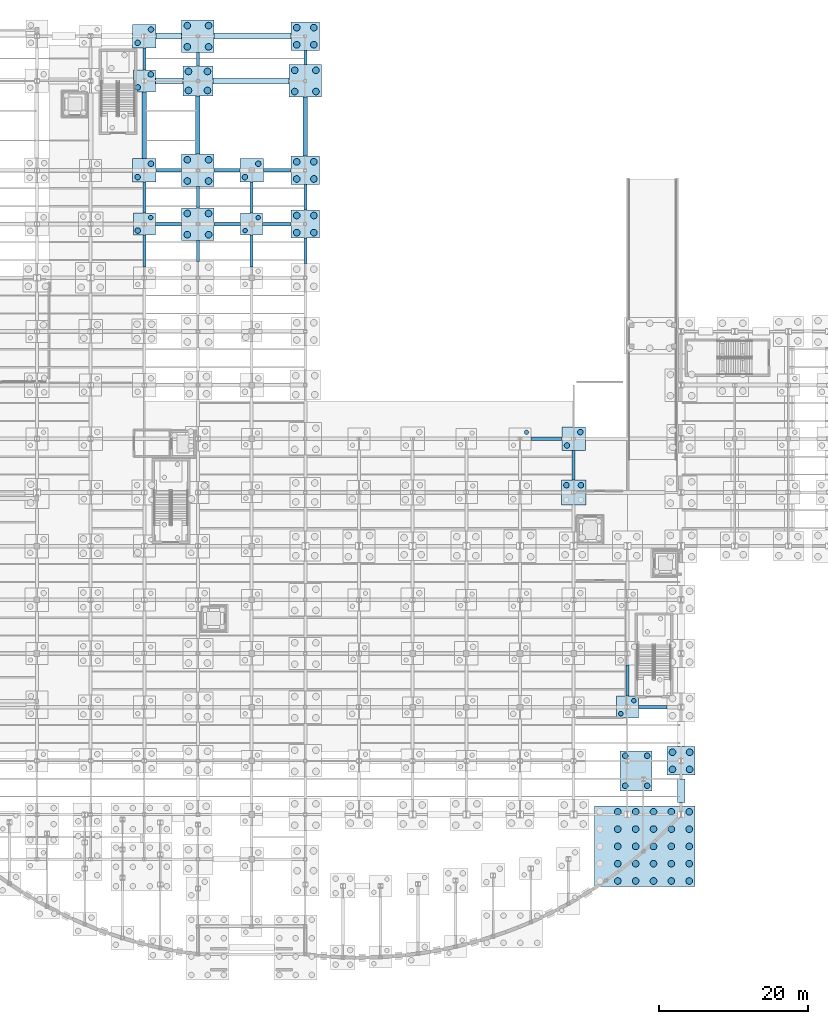
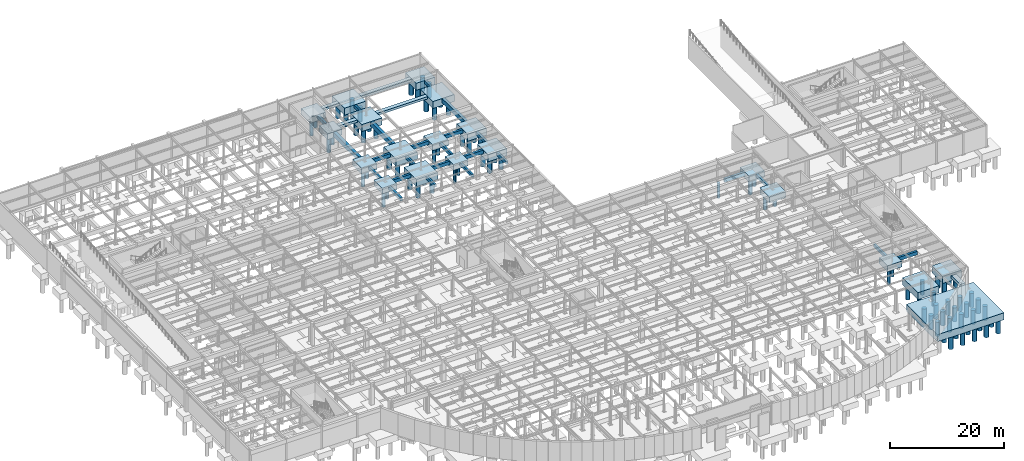
# One storey, part 13 of 64: 84 piles, 49 footings.
"""IFC4 building model written with IfcOpenShell, lengths in metres."""

from ifc_helpers import new_model, si_unit, direction, frame, origin, origin_2d, place, context, subcontext, project, spatial, rectangle, circle, extrude, material, material_profile, profile_set, type_object, element, save


model = new_model("IFC4")

# Units and contexts
model_context = context("Model", 3, precision=1e-05, world=origin(), true_north=direction((0.0, 1.0)))
body_context = subcontext(model_context, "Body", "Model", "MODEL_VIEW")
ifc_project = project(units=[si_unit("LENGTHUNIT", "METRE"), si_unit("AREAUNIT", "SQUARE_METRE"), si_unit("VOLUMEUNIT", "CUBIC_METRE"), si_unit("PLANEANGLEUNIT", "RADIAN"), si_unit("MASSUNIT", "GRAM", prefix="KILO")], contexts=[model_context])

# Site, building, storey
site_placement = place(None, origin())
site = spatial("IfcSite", under=ifc_project, at=site_placement, CompositionType="ELEMENT")
building_placement = place(site_placement, origin())
building = spatial("IfcBuilding", under=site, at=building_placement, Name="Solvadek Multi-Sports Hall", CompositionType="ELEMENT")
storey_placement = place(building_placement, frame((0.0, 0.0, -4.800048828125)))
storey = spatial("IfcBuildingStorey", under=building, at=storey_placement, Name="B1", CompositionType="ELEMENT", Elevation=-4.800048828125)

# Footings
ifc_material_1 = material(Name="Concrete M40", Category="concrete")
footing_type_1 = type_object("IfcFootingType", Name="STR-CAP-295X295X125", PredefinedType="PILE_CAP", material=ifc_material_1)
for number, where, z_axis, x_axis, name in (
    (1, (129.60009765625, 20.39990234375, -1.25), (0.0, 0.0, 1.0), (1.0, 0.0, 0.0), "Pile Cap PC-14 #80"),
    (2, (64.800048828125, 85.199951171875, -1.25), (0.0, 0.0, 1.0), (1.0, 0.0, 0.0), "Pile Cap PC-14 #253"),
    (3, (79.199951171875, 85.199951171875, -1.25), (0.0, 0.0, 1.0), (1.0, 0.0, 0.0), "Pile Cap PC-14 #254"),
    (4, (64.800048828125, 104.39990234375, -1.25), (0.0, 0.0, 1.0), (1.0, 0.0, 0.0), "Pile Cap PC-14 #280"),
):
    element("IfcFooting", number, at=place(storey_placement, frame(where, z_axis=z_axis, x_axis=x_axis)), inside=storey, type_object=footing_type_1, Name=name, PredefinedType="PILE_CAP", context=body_context, shape_type="SweptSolid", body=[
        extrude(rectangle(XDim=2.949951171875, YDim=2.949951171875, at=origin_2d()), origin(), (0.0, 0.0, 1.0), 1.25),
    ])
footing_type_2 = type_object("IfcFootingType", Name="STR-CAP-315X315X130", PredefinedType="PILE_CAP", material=ifc_material_1)
for number, where, z_axis, x_axis, name in (
    (5, (122.39990234375, 56.39990234375, -1.2998046875), (0.0, 0.0, 1.0), (1.0, 0.0, 0.0), "Pile Cap PC-15 #192"),
    (6, (64.800048828125, 92.39990234375, -1.2998046875), (0.0, 0.0, 1.0), (1.0, 0.0, 0.0), "Pile Cap PC-15 #266"),
    (7, (79.199951171875, 92.39990234375, -1.2998046875), (0.0, 0.0, 1.0), (1.0, 0.0, 0.0), "Pile Cap PC-15 #267"),
    (8, (64.800048828125, 110.39990234375, -1.2998046875), (0.0, 0.0, 1.0), (1.0, 0.0, 0.0), "Pile Cap PC-15 #293"),
):
    element("IfcFooting", number, at=place(storey_placement, frame(where, z_axis=z_axis, x_axis=x_axis)), inside=storey, type_object=footing_type_2, Name=name, PredefinedType="PILE_CAP", context=body_context, shape_type="SweptSolid", body=[
        extrude(rectangle(XDim=3.14990234375, YDim=3.14990234375, at=origin_2d()), origin(), (0.0, 0.0, 1.0), 1.300048828125),
    ])
footing_type_3 = type_object("IfcFootingType", Name="STR-CAP-330X330X135", PredefinedType="PILE_CAP", material=ifc_material_1)
footing_1_placement = place(storey_placement, frame((122.39990234375, 49.199951171875, -1.35009765625), z_axis=(0.0, 0.0, 1.0), x_axis=(1.0, 0.0, 0.0)))
element("IfcFooting", 9, at=footing_1_placement, inside=storey, type_object=footing_type_3, Name="Pile Cap PC-04 #168", PredefinedType="PILE_CAP", context=body_context, shape_type="SweptSolid", body=[
    extrude(rectangle(XDim=3.300048828125, YDim=3.300048828125, at=origin_2d()), origin(), (0.0, 0.0, 1.0), 1.35009765625),
])
footing_type_4 = type_object("IfcFootingType", Name="STR-CAP-380X380X150", PredefinedType="PILE_CAP", material=ifc_material_1)
for number, where, z_axis, x_axis, name in (
    (10, (136.800048828125, 13.199951171875, -1.5), (0.0, 0.0, 1.0), (1.0, 0.0, 0.0), "Pile Cap PC-06 #49"),
    (11, (86.39990234375, 85.199951171875, -1.5), (0.0, 0.0, 1.0), (1.0, 0.0, 0.0), "Pile Cap PC-06 #244"),
    (12, (86.39990234375, 92.39990234375, -1.5), (0.0, 0.0, 1.0), (1.0, 0.0, 0.0), "Pile Cap PC-06 #256"),
    (13, (86.39990234375, 110.39990234375, -1.5), (0.0, 0.0, 1.0), (1.0, 0.0, 0.0), "Pile Cap PC-06 #283"),
):
    element("IfcFooting", number, at=place(storey_placement, frame(where, z_axis=z_axis, x_axis=x_axis)), inside=storey, type_object=footing_type_4, Name=name, PredefinedType="PILE_CAP", context=body_context, shape_type="SweptSolid", body=[
        extrude(rectangle(XDim=3.800048828125, YDim=3.800048828125, at=origin_2d()), origin(), (0.0, 0.0, 1.0), 1.5),
    ])
footing_type_5 = type_object("IfcFootingType", Name="STR-CAP-405X405X150", PredefinedType="PILE_CAP", material=ifc_material_1)
footing_2_placement = place(storey_placement, frame((72.0, 104.39990234375, -1.5), z_axis=(0.0, 0.0, 1.0), x_axis=(1.0, 0.0, 0.0)))
element("IfcFooting", 14, at=footing_2_placement, inside=storey, type_object=footing_type_5, Name="Pile Cap PC-17 #269", PredefinedType="PILE_CAP", context=body_context, shape_type="SweptSolid", body=[
    extrude(rectangle(XDim=4.050048828125, YDim=4.050048828125, at=origin_2d()), origin(), (0.0, 0.0, 1.0), 1.5),
])
footing_type_6 = type_object("IfcFootingType", Name="STR-CAP-435X435X150", PredefinedType="PILE_CAP", material=ifc_material_1)
for number, where, z_axis, x_axis, name in (
    (15, (72.0, 85.199951171875, -1.5), (0.0, 0.0, 1.0), (1.0, 0.0, 0.0), "Pile Cap PC-18 #243"),
    (16, (72.0, 92.39990234375, -1.5), (0.0, 0.0, 1.0), (1.0, 0.0, 0.0), "Pile Cap PC-18 #255"),
    (17, (86.39990234375, 104.39990234375, -1.5), (0.0, 0.0, 1.0), (1.0, 0.0, 0.0), "Pile Cap PC-18 #270"),
    (18, (72.0, 110.39990234375, -1.5), (0.0, 0.0, 1.0), (1.0, 0.0, 0.0), "Pile Cap PC-18 #282"),
):
    element("IfcFooting", number, at=place(storey_placement, frame(where, z_axis=z_axis, x_axis=x_axis)), inside=storey, type_object=footing_type_6, Name=name, PredefinedType="PILE_CAP", context=body_context, shape_type="SweptSolid", body=[
        extrude(rectangle(XDim=4.35009765625, YDim=4.35009765625, at=origin_2d()), origin(), (0.0, 0.0, 1.0), 1.5),
    ])
footing_type_7 = type_object("IfcFootingType", Name="STR-CAP-CMB-1348X1078", PredefinedType="PILE_CAP", material=ifc_material_1)
footing_3_placement = place(storey_placement, frame((131.909912109375, 1.721435546875, -1.5), z_axis=(0.0, 0.0, 1.0), x_axis=(1.0, 0.0, 0.0)))
element("IfcFooting", 19, at=footing_3_placement, inside=storey, type_object=footing_type_7, Name="Pile Cap PC-R22 #22", PredefinedType="PILE_CAP", context=body_context, shape_type="SweptSolid", body=[
    extrude(rectangle(XDim=13.47998046875, YDim=10.780029296875, at=origin_2d()), origin(), (0.0, 0.0, 1.0), 1.5),
])
footing_type_8 = type_object("IfcFootingType", Name="STR-CAP-CMB-537X430", PredefinedType="PILE_CAP", material=ifc_material_1)
footing_4_placement = place(storey_placement, frame((130.780029296875, 11.864013671875, -1.5), z_axis=(0.0, 0.0, 1.0), x_axis=(0.0, 1.0, 0.0)))
element("IfcFooting", 20, at=footing_4_placement, inside=storey, type_object=footing_type_8, Name="Pile Cap PC-R45 #45", PredefinedType="PILE_CAP", context=body_context, shape_type="SweptSolid", body=[
    extrude(rectangle(XDim=5.3701171875, YDim=4.300048828125, at=origin_2d()), origin(), (0.0, 0.0, 1.0), 1.5),
])
footing_type_9 = type_object("IfcFootingType", Name="STR-FTB-400X650", PredefinedType="FOOTING_BEAM", material=ifc_material_1)
footing_5_placement = place(storey_placement, frame((64.800048828125, 81.60009765625, -0.64990234375), z_axis=(0.0, 0.0, 1.0), x_axis=(0.0, 1.0, 0.0)))
element("IfcFooting", 21, at=footing_5_placement, inside=storey, type_object=footing_type_9, Name="Foundation Beam FB-01 #323", PredefinedType="FOOTING_BEAM", context=body_context, shape_type="SweptSolid", body=[
    extrude(rectangle(XDim=4.25, YDim=0.39990234375, at=origin_2d()), origin(), (0.0, 0.0, 1.0), 0.64990234375),
])
footing_6_placement = place(storey_placement, frame((64.800048828125, 88.75, -0.64990234375), z_axis=(0.0, 0.0, 1.0), x_axis=(0.0, 1.0, 0.0)))
element("IfcFooting", 22, at=footing_6_placement, inside=storey, type_object=footing_type_9, Name="Foundation Beam FB-01 #324", PredefinedType="FOOTING_BEAM", context=body_context, shape_type="SweptSolid", body=[
    extrude(rectangle(XDim=4.14990234375, YDim=0.39990234375, at=origin_2d()), origin(), (0.0, 0.0, 1.0), 0.64990234375),
])
footing_7_placement = place(storey_placement, frame((64.800048828125, 107.35009765625, -0.64990234375), z_axis=(0.0, 0.0, 1.0), x_axis=(0.0, 1.0, 0.0)))
element("IfcFooting", 23, at=footing_7_placement, inside=storey, type_object=footing_type_9, Name="Foundation Beam FB-01 #326", PredefinedType="FOOTING_BEAM", context=body_context, shape_type="SweptSolid", body=[
    extrude(rectangle(XDim=2.949951171875, YDim=0.39990234375, at=origin_2d()), origin(), (0.0, 0.0, 1.0), 0.64990234375),
])
for number, where, z_axis, x_axis, name in (
    (24, (72.0, 81.60009765625, -0.64990234375), (0.0, 0.0, 1.0), (0.0, 1.0, 0.0), "Foundation Beam FB-01 #337"),
    (25, (72.0, 88.800048828125, -0.64990234375), (0.0, 0.0, 1.0), (0.0, 1.0, 0.0), "Foundation Beam FB-01 #338"),
):
    element("IfcFooting", number, at=place(storey_placement, frame(where, z_axis=z_axis, x_axis=x_axis)), inside=storey, type_object=footing_type_9, Name=name, PredefinedType="FOOTING_BEAM", context=body_context, shape_type="SweptSolid", body=[
        extrude(rectangle(XDim=2.85009765625, YDim=0.39990234375, at=origin_2d()), origin(), (0.0, 0.0, 1.0), 0.64990234375),
    ])
footing_8_placement = place(storey_placement, frame((72.0, 107.324951171875, -0.64990234375), z_axis=(0.0, 0.0, 1.0), x_axis=(0.0, 1.0, 0.0)))
element("IfcFooting", 26, at=footing_8_placement, inside=storey, type_object=footing_type_9, Name="Foundation Beam FB-01 #340", PredefinedType="FOOTING_BEAM", context=body_context, shape_type="SweptSolid", body=[
    extrude(rectangle(XDim=1.800048828125, YDim=0.39990234375, at=origin_2d()), origin(), (0.0, 0.0, 1.0), 0.64990234375),
])
footing_9_placement = place(storey_placement, frame((79.199951171875, 81.60009765625, -0.64990234375), z_axis=(0.0, 0.0, 1.0), x_axis=(0.0, 1.0, 0.0)))
element("IfcFooting", 27, at=footing_9_placement, inside=storey, type_object=footing_type_9, Name="Foundation Beam FB-01 #353", PredefinedType="FOOTING_BEAM", context=body_context, shape_type="SweptSolid", body=[
    extrude(rectangle(XDim=4.25, YDim=0.39990234375, at=origin_2d()), origin(), (0.0, 0.0, 1.0), 0.64990234375),
])
footing_10_placement = place(storey_placement, frame((79.199951171875, 88.75, -0.64990234375), z_axis=(0.0, 0.0, 1.0), x_axis=(0.0, 1.0, 0.0)))
element("IfcFooting", 28, at=footing_10_placement, inside=storey, type_object=footing_type_9, Name="Foundation Beam FB-01 #354", PredefinedType="FOOTING_BEAM", context=body_context, shape_type="SweptSolid", body=[
    extrude(rectangle(XDim=4.14990234375, YDim=0.39990234375, at=origin_2d()), origin(), (0.0, 0.0, 1.0), 0.64990234375),
])
for number, where, z_axis, x_axis, name in (
    (29, (86.39990234375, 81.60009765625, -0.64990234375), (0.0, 0.0, 1.0), (0.0, 1.0, 0.0), "Foundation Beam FB-01 #366"),
    (30, (86.39990234375, 88.800048828125, -0.64990234375), (0.0, 0.0, 1.0), (0.0, 1.0, 0.0), "Foundation Beam FB-01 #367"),
):
    element("IfcFooting", number, at=place(storey_placement, frame(where, z_axis=z_axis, x_axis=x_axis)), inside=storey, type_object=footing_type_9, Name=name, PredefinedType="FOOTING_BEAM", context=body_context, shape_type="SweptSolid", body=[
        extrude(rectangle(XDim=3.39990234375, YDim=0.39990234375, at=origin_2d()), origin(), (0.0, 0.0, 1.0), 0.64990234375),
    ])
footing_11_placement = place(storey_placement, frame((86.39990234375, 107.53759765625, -0.64990234375), z_axis=(0.0, 0.0, 1.0), x_axis=(0.0, 1.0, 0.0)))
element("IfcFooting", 31, at=footing_11_placement, inside=storey, type_object=footing_type_9, Name="Foundation Beam FB-01 #369", PredefinedType="FOOTING_BEAM", context=body_context, shape_type="SweptSolid", body=[
    extrude(rectangle(XDim=1.925048828125, YDim=0.39990234375, at=origin_2d()), origin(), (0.0, 0.0, 1.0), 0.64990234375),
])
footing_12_placement = place(storey_placement, frame((122.39990234375, 52.83740234375, -0.64990234375), z_axis=(0.0, 0.0, 1.0), x_axis=(0.0, 1.0, 0.0)))
element("IfcFooting", 32, at=footing_12_placement, inside=storey, type_object=footing_type_9, Name="Foundation Beam FB-01 #409", PredefinedType="FOOTING_BEAM", context=body_context, shape_type="SweptSolid", body=[
    extrude(rectangle(XDim=3.97509765625, YDim=0.39990234375, at=origin_2d()), origin(), (0.0, 0.0, 1.0), 0.64990234375),
])
footing_13_placement = place(storey_placement, frame((129.60009765625, 23.949951171875, -0.64990234375), z_axis=(0.0, 0.0, 1.0), x_axis=(0.0, 1.0, 0.0)))
element("IfcFooting", 33, at=footing_13_placement, inside=storey, type_object=footing_type_9, Name="Foundation Beam FB-01 #410", PredefinedType="FOOTING_BEAM", context=body_context, shape_type="SweptSolid", body=[
    extrude(rectangle(XDim=4.14990234375, YDim=0.39990234375, at=origin_2d()), origin(), (0.0, 0.0, 1.0), 0.64990234375),
])
footing_type_10 = type_object("IfcFootingType", Name="STR-FTB-450X750", PredefinedType="FOOTING_BEAM", material=ifc_material_1)
footing_14_placement = place(storey_placement, frame((132.987548828125, 20.39990234375, -0.75), z_axis=(0.0, 0.0, 1.0), x_axis=(1.0, 0.0, 0.0)))
element("IfcFooting", 34, at=footing_14_placement, inside=storey, type_object=footing_type_10, Name="Foundation Beam FB-02 #36", PredefinedType="FOOTING_BEAM", context=body_context, shape_type="SweptSolid", body=[
    extrude(rectangle(XDim=3.824951171875, YDim=0.449951171875, at=origin_2d()), origin(), (0.0, 0.0, 1.0), 0.75),
])
footing_15_placement = place(storey_placement, frame((118.75, 56.39990234375, -0.75), z_axis=(0.0, 0.0, 1.0), x_axis=(1.0, 0.0, 0.0)))
element("IfcFooting", 35, at=footing_15_placement, inside=storey, type_object=footing_type_10, Name="Foundation Beam FB-02 #134", PredefinedType="FOOTING_BEAM", context=body_context, shape_type="SweptSolid", body=[
    extrude(rectangle(XDim=4.14990234375, YDim=0.449951171875, at=origin_2d()), origin(), (0.0, 0.0, 1.0), 0.75),
])
for number, where, z_axis, x_axis, name in (
    (36, (68.050048828125, 85.199951171875, -0.75), (0.0, 0.0, 1.0), (1.0, 0.0, 0.0), "Foundation Beam FB-02 #182"),
    (37, (75.949951171875, 85.199951171875, -0.75), (0.0, 0.0, 1.0), (1.0, 0.0, 0.0), "Foundation Beam FB-02 #183"),
):
    element("IfcFooting", number, at=place(storey_placement, frame(where, z_axis=z_axis, x_axis=x_axis)), inside=storey, type_object=footing_type_10, Name=name, PredefinedType="FOOTING_BEAM", context=body_context, shape_type="SweptSolid", body=[
        extrude(rectangle(XDim=3.550048828125, YDim=0.449951171875, at=origin_2d()), origin(), (0.0, 0.0, 1.0), 0.75),
    ])
footing_16_placement = place(storey_placement, frame((82.58740234375, 85.199951171875, -0.75), z_axis=(0.0, 0.0, 1.0), x_axis=(1.0, 0.0, 0.0)))
element("IfcFooting", 38, at=footing_16_placement, inside=storey, type_object=footing_type_10, Name="Foundation Beam FB-02 #184", PredefinedType="FOOTING_BEAM", context=body_context, shape_type="SweptSolid", body=[
    extrude(rectangle(XDim=3.824951171875, YDim=0.449951171875, at=origin_2d()), origin(), (0.0, 0.0, 1.0), 0.75),
])
for number, where, z_axis, x_axis, name in (
    (39, (68.10009765625, 92.39990234375, -0.75), (0.0, 0.0, 1.0), (1.0, 0.0, 0.0), "Foundation Beam FB-02 #194"),
    (40, (75.89990234375, 92.39990234375, -0.75), (0.0, 0.0, 1.0), (1.0, 0.0, 0.0), "Foundation Beam FB-02 #195"),
):
    element("IfcFooting", number, at=place(storey_placement, frame(where, z_axis=z_axis, x_axis=x_axis)), inside=storey, type_object=footing_type_10, Name=name, PredefinedType="FOOTING_BEAM", context=body_context, shape_type="SweptSolid", body=[
        extrude(rectangle(XDim=3.449951171875, YDim=0.449951171875, at=origin_2d()), origin(), (0.0, 0.0, 1.0), 0.75),
    ])
footing_17_placement = place(storey_placement, frame((82.637451171875, 92.39990234375, -0.75), z_axis=(0.0, 0.0, 1.0), x_axis=(1.0, 0.0, 0.0)))
element("IfcFooting", 41, at=footing_17_placement, inside=storey, type_object=footing_type_10, Name="Foundation Beam FB-02 #196", PredefinedType="FOOTING_BEAM", context=body_context, shape_type="SweptSolid", body=[
    extrude(rectangle(XDim=3.72509765625, YDim=0.449951171875, at=origin_2d()), origin(), (0.0, 0.0, 1.0), 0.75),
])
footing_type_11 = type_object("IfcFootingType", Name="STR-FTB-600X950", PredefinedType="FOOTING_BEAM", material=ifc_material_1)
footing_18_placement = place(storey_placement, frame((64.800048828125, 98.449951171875, -0.94970703125), z_axis=(0.0, 0.0, 1.0), x_axis=(0.0, 1.0, 0.0)))
element("IfcFooting", 42, at=footing_18_placement, inside=storey, type_object=footing_type_11, Name="Foundation Beam FB-04 #325", PredefinedType="FOOTING_BEAM", context=body_context, shape_type="SweptSolid", body=[
    extrude(rectangle(XDim=8.949951171875, YDim=0.60009765625, at=origin_2d()), origin(), (0.0, 0.0, 1.0), 0.949951171875),
])
footing_19_placement = place(storey_placement, frame((72.0, 98.47509765625, -0.94970703125), z_axis=(0.0, 0.0, 1.0), x_axis=(0.0, 1.0, 0.0)))
element("IfcFooting", 43, at=footing_19_placement, inside=storey, type_object=footing_type_11, Name="Foundation Beam FB-04 #339", PredefinedType="FOOTING_BEAM", context=body_context, shape_type="SweptSolid", body=[
    extrude(rectangle(XDim=7.800048828125, YDim=0.60009765625, at=origin_2d()), origin(), (0.0, 0.0, 1.0), 0.949951171875),
])
footing_20_placement = place(storey_placement, frame((86.39990234375, 98.262451171875, -0.94970703125), z_axis=(0.0, 0.0, 1.0), x_axis=(0.0, 1.0, 0.0)))
element("IfcFooting", 44, at=footing_20_placement, inside=storey, type_object=footing_type_11, Name="Foundation Beam FB-04 #368", PredefinedType="FOOTING_BEAM", context=body_context, shape_type="SweptSolid", body=[
    extrude(rectangle(XDim=7.925048828125, YDim=0.60009765625, at=origin_2d()), origin(), (0.0, 0.0, 1.0), 0.949951171875),
])

# Piles
ifc_material_2 = material(Name="Concrete M35", Category="concrete")
ifc_material_profile_1 = material_profile(ifc_material_2, circle(Radius=0.300048828125, at=origin_2d()), Name="BORED PILE D600")
ifc_profile_set_1 = profile_set([ifc_material_profile_1], Name="Concrete M35")
pile_type_1 = type_object("IfcPileType", Name="STR-PILE-D600", PredefinedType="BORED", material=ifc_profile_set_1)
for number, where, z_axis, x_axis, name in (
    (45, (128.72509765625, 19.52490234375, -1.14990234375), (0.0, 0.0, -1.0), (1.0, 0.0, 0.0), "Bored Pile PL-600 #300"),
    (46, (130.47509765625, 21.27490234375, -1.14990234375), (0.0, 0.0, -1.0), (1.0, 0.0, 0.0), "Bored Pile PL-600 #301"),
    (47, (116.074951171875, 57.27490234375, -1.14990234375), (0.0, 0.0, -1.0), (1.0, 0.0, 0.0), "Bored Pile PL-600 #599"),
    (48, (65.675048828125, 86.074951171875, -1.14990234375), (0.0, 0.0, -1.0), (1.0, 0.0, 0.0), "Bored Pile PL-600 #809"),
    (49, (78.324951171875, 84.324951171875, -1.14990234375), (0.0, 0.0, -1.0), (1.0, 0.0, 0.0), "Bored Pile PL-600 #810"),
    (50, (80.074951171875, 86.074951171875, -1.14990234375), (0.0, 0.0, -1.0), (1.0, 0.0, 0.0), "Bored Pile PL-600 #811"),
):
    element("IfcPile", number, at=place(storey_placement, frame(where, z_axis=z_axis, x_axis=x_axis)), inside=storey, type_object=pile_type_1, Name=name, PredefinedType="BORED", context=body_context, shape_type="SweptSolid", body=[
        extrude(circle(Radius=0.300048828125, at=origin_2d()), origin(), (0.0, 0.0, 1.0), 3.25),
    ])
ifc_material_profile_2 = material_profile(ifc_material_2, circle(Radius=0.375, at=origin_2d()), Name="BORED PILE D750")
ifc_profile_set_2 = profile_set([ifc_material_profile_2], Name="Concrete M35")
pile_type_2 = type_object("IfcPileType", Name="STR-PILE-D750", PredefinedType="BORED", material=ifc_profile_set_2)
for number, where, z_axis, x_axis, name in (
    (51, (129.304931640625, 9.85400390625, -1.39990234375), (0.0, 0.0, -1.0), (1.0, 0.0, 0.0), "Bored Pile PL-750 #204"),
    (52, (129.304931640625, 13.8740234375, -1.39990234375), (0.0, 0.0, -1.0), (1.0, 0.0, 0.0), "Bored Pile PL-750 #205"),
    (53, (132.2548828125, 9.85400390625, -1.39990234375), (0.0, 0.0, -1.0), (1.0, 0.0, 0.0), "Bored Pile PL-750 #206"),
    (54, (132.2548828125, 13.8740234375, -1.39990234375), (0.0, 0.0, -1.0), (1.0, 0.0, 0.0), "Bored Pile PL-750 #207"),
):
    element("IfcPile", number, at=place(storey_placement, frame(where, z_axis=z_axis, x_axis=x_axis)), inside=storey, type_object=pile_type_2, Name=name, PredefinedType="BORED", context=body_context, shape_type="SweptSolid", body=[
        extrude(circle(Radius=0.375, at=origin_2d()), origin(), (0.0, 0.0, 1.0), 3.0),
    ])
for number, where, z_axis, x_axis, name in (
    (55, (121.425048828125, 50.175048828125, -1.25), (0.0, 0.0, -1.0), (1.0, 0.0, 0.0), "Bored Pile PL-750 #537"),
    (56, (123.375, 50.175048828125, -1.25), (0.0, 0.0, -1.0), (1.0, 0.0, 0.0), "Bored Pile PL-750 #539"),
):
    element("IfcPile", number, at=place(storey_placement, frame(where, z_axis=z_axis, x_axis=x_axis)), inside=storey, type_object=pile_type_2, Name=name, PredefinedType="BORED", context=body_context, shape_type="SweptSolid", body=[
        extrude(circle(Radius=0.375, at=origin_2d()), origin(), (0.0, 0.0, 1.0), 3.14990234375),
    ])
for number, where, z_axis, x_axis, name in (
    (57, (121.5, 55.5, -1.199951171875), (0.0, 0.0, -1.0), (1.0, 0.0, 0.0), "Bored Pile PL-750 #600"),
    (58, (123.300048828125, 57.300048828125, -1.199951171875), (0.0, 0.0, -1.0), (1.0, 0.0, 0.0), "Bored Pile PL-750 #601"),
):
    element("IfcPile", number, at=place(storey_placement, frame(where, z_axis=z_axis, x_axis=x_axis)), inside=storey, type_object=pile_type_2, Name=name, PredefinedType="BORED", context=body_context, shape_type="SweptSolid", body=[
        extrude(circle(Radius=0.375, at=origin_2d()), origin(), (0.0, 0.0, 1.0), 3.199951171875),
    ])
pile_placement = place(storey_placement, frame((63.925048828125, 84.324951171875, -1.14990234375), z_axis=(0.0, 0.0, -1.0), x_axis=(1.0, 0.0, 0.0)))
element("IfcPile", 59, at=pile_placement, inside=storey, type_object=pile_type_2, Name="Bored Pile PL-750 #808", PredefinedType="BORED", context=body_context, shape_type="SweptSolid", body=[
    extrude(circle(Radius=0.375, at=origin_2d()), origin(), (0.0, 0.0, 1.0), 3.25),
])
for number, where, z_axis, x_axis, name in (
    (60, (63.89990234375, 91.5, -1.199951171875), (0.0, 0.0, -1.0), (1.0, 0.0, 0.0), "Bored Pile PL-750 #844"),
    (61, (65.699951171875, 93.300048828125, -1.199951171875), (0.0, 0.0, -1.0), (1.0, 0.0, 0.0), "Bored Pile PL-750 #845"),
    (62, (78.300048828125, 91.5, -1.199951171875), (0.0, 0.0, -1.0), (1.0, 0.0, 0.0), "Bored Pile PL-750 #846"),
    (63, (80.10009765625, 93.300048828125, -1.199951171875), (0.0, 0.0, -1.0), (1.0, 0.0, 0.0), "Bored Pile PL-750 #847"),
):
    element("IfcPile", number, at=place(storey_placement, frame(where, z_axis=z_axis, x_axis=x_axis)), inside=storey, type_object=pile_type_2, Name=name, PredefinedType="BORED", context=body_context, shape_type="SweptSolid", body=[
        extrude(circle(Radius=0.375, at=origin_2d()), origin(), (0.0, 0.0, 1.0), 3.199951171875),
    ])
for number, where, z_axis, x_axis, name in (
    (64, (63.925048828125, 103.52490234375, -1.14990234375), (0.0, 0.0, -1.0), (1.0, 0.0, 0.0), "Bored Pile PL-750 #882"),
    (65, (65.675048828125, 105.27490234375, -1.14990234375), (0.0, 0.0, -1.0), (1.0, 0.0, 0.0), "Bored Pile PL-750 #883"),
):
    element("IfcPile", number, at=place(storey_placement, frame(where, z_axis=z_axis, x_axis=x_axis)), inside=storey, type_object=pile_type_2, Name=name, PredefinedType="BORED", context=body_context, shape_type="SweptSolid", body=[
        extrude(circle(Radius=0.375, at=origin_2d()), origin(), (0.0, 0.0, 1.0), 3.25),
    ])
for number, where, z_axis, x_axis, name in (
    (66, (63.89990234375, 109.5, -1.199951171875), (0.0, 0.0, -1.0), (1.0, 0.0, 0.0), "Bored Pile PL-750 #914"),
    (67, (65.699951171875, 111.300048828125, -1.199951171875), (0.0, 0.0, -1.0), (1.0, 0.0, 0.0), "Bored Pile PL-750 #915"),
):
    element("IfcPile", number, at=place(storey_placement, frame(where, z_axis=z_axis, x_axis=x_axis)), inside=storey, type_object=pile_type_2, Name=name, PredefinedType="BORED", context=body_context, shape_type="SweptSolid", body=[
        extrude(circle(Radius=0.375, at=origin_2d()), origin(), (0.0, 0.0, 1.0), 3.199951171875),
    ])
ifc_material_profile_3 = material_profile(ifc_material_2, circle(Radius=0.449951171875, at=origin_2d()), Name="BORED PILE D900")
ifc_profile_set_3 = profile_set([ifc_material_profile_3], Name="Concrete M35")
pile_type_3 = type_object("IfcPileType", Name="STR-PILE-D900", PredefinedType="BORED", material=ifc_profile_set_3)
for number, where, z_axis, x_axis, name in (
    (68, (128.31591796875, -2.918701171875, -1.39990234375), (0.0, 0.0, -1.0), (1.0, 0.0, 0.0), "Bored Pile PL-900 #98"),
    (69, (128.31591796875, -0.5986328125, -1.39990234375), (0.0, 0.0, -1.0), (1.0, 0.0, 0.0), "Bored Pile PL-900 #99"),
    (70, (128.31591796875, 1.721435546875, -1.39990234375), (0.0, 0.0, -1.0), (1.0, 0.0, 0.0), "Bored Pile PL-900 #100"),
    (71, (128.31591796875, 4.04150390625, -1.39990234375), (0.0, 0.0, -1.0), (1.0, 0.0, 0.0), "Bored Pile PL-900 #101"),
    (72, (128.31591796875, 6.361328125, -1.39990234375), (0.0, 0.0, -1.0), (1.0, 0.0, 0.0), "Bored Pile PL-900 #102"),
    (73, (130.7119140625, -2.918701171875, -1.39990234375), (0.0, 0.0, -1.0), (1.0, 0.0, 0.0), "Bored Pile PL-900 #103"),
    (74, (130.7119140625, -0.5986328125, -1.39990234375), (0.0, 0.0, -1.0), (1.0, 0.0, 0.0), "Bored Pile PL-900 #104"),
    (75, (130.7119140625, 1.721435546875, -1.39990234375), (0.0, 0.0, -1.0), (1.0, 0.0, 0.0), "Bored Pile PL-900 #105"),
    (76, (130.7119140625, 4.04150390625, -1.39990234375), (0.0, 0.0, -1.0), (1.0, 0.0, 0.0), "Bored Pile PL-900 #106"),
    (77, (130.7119140625, 6.361328125, -1.39990234375), (0.0, 0.0, -1.0), (1.0, 0.0, 0.0), "Bored Pile PL-900 #107"),
    (78, (133.10791015625, -2.918701171875, -1.39990234375), (0.0, 0.0, -1.0), (1.0, 0.0, 0.0), "Bored Pile PL-900 #108"),
    (79, (133.10791015625, -0.5986328125, -1.39990234375), (0.0, 0.0, -1.0), (1.0, 0.0, 0.0), "Bored Pile PL-900 #109"),
    (80, (133.10791015625, 1.721435546875, -1.39990234375), (0.0, 0.0, -1.0), (1.0, 0.0, 0.0), "Bored Pile PL-900 #110"),
    (81, (133.10791015625, 4.04150390625, -1.39990234375), (0.0, 0.0, -1.0), (1.0, 0.0, 0.0), "Bored Pile PL-900 #111"),
    (82, (133.10791015625, 6.361328125, -1.39990234375), (0.0, 0.0, -1.0), (1.0, 0.0, 0.0), "Bored Pile PL-900 #112"),
    (83, (135.50390625, -2.918701171875, -1.39990234375), (0.0, 0.0, -1.0), (1.0, 0.0, 0.0), "Bored Pile PL-900 #113"),
    (84, (135.50390625, -0.5986328125, -1.39990234375), (0.0, 0.0, -1.0), (1.0, 0.0, 0.0), "Bored Pile PL-900 #114"),
    (85, (135.50390625, 1.721435546875, -1.39990234375), (0.0, 0.0, -1.0), (1.0, 0.0, 0.0), "Bored Pile PL-900 #115"),
    (86, (135.50390625, 4.04150390625, -1.39990234375), (0.0, 0.0, -1.0), (1.0, 0.0, 0.0), "Bored Pile PL-900 #116"),
    (87, (135.50390625, 6.361328125, -1.39990234375), (0.0, 0.0, -1.0), (1.0, 0.0, 0.0), "Bored Pile PL-900 #117"),
    (88, (137.89990234375, -2.918701171875, -1.39990234375), (0.0, 0.0, -1.0), (1.0, 0.0, 0.0), "Bored Pile PL-900 #118"),
    (89, (137.89990234375, -0.5986328125, -1.39990234375), (0.0, 0.0, -1.0), (1.0, 0.0, 0.0), "Bored Pile PL-900 #119"),
    (90, (137.89990234375, 1.721435546875, -1.39990234375), (0.0, 0.0, -1.0), (1.0, 0.0, 0.0), "Bored Pile PL-900 #120"),
    (91, (137.89990234375, 4.04150390625, -1.39990234375), (0.0, 0.0, -1.0), (1.0, 0.0, 0.0), "Bored Pile PL-900 #121"),
    (92, (137.89990234375, 6.361328125, -1.39990234375), (0.0, 0.0, -1.0), (1.0, 0.0, 0.0), "Bored Pile PL-900 #122"),
    (93, (135.64990234375, 12.050048828125, -1.39990234375), (0.0, 0.0, -1.0), (1.0, 0.0, 0.0), "Bored Pile PL-900 #218"),
    (94, (135.64990234375, 14.35009765625, -1.39990234375), (0.0, 0.0, -1.0), (1.0, 0.0, 0.0), "Bored Pile PL-900 #219"),
    (95, (137.949951171875, 12.050048828125, -1.39990234375), (0.0, 0.0, -1.0), (1.0, 0.0, 0.0), "Bored Pile PL-900 #220"),
    (96, (137.949951171875, 14.35009765625, -1.39990234375), (0.0, 0.0, -1.0), (1.0, 0.0, 0.0), "Bored Pile PL-900 #221"),
    (97, (70.574951171875, 83.77490234375, -1.39990234375), (0.0, 0.0, -1.0), (1.0, 0.0, 0.0), "Bored Pile PL-900 #778"),
    (98, (70.574951171875, 86.625, -1.39990234375), (0.0, 0.0, -1.0), (1.0, 0.0, 0.0), "Bored Pile PL-900 #779"),
    (99, (73.425048828125, 83.77490234375, -1.39990234375), (0.0, 0.0, -1.0), (1.0, 0.0, 0.0), "Bored Pile PL-900 #780"),
    (100, (73.425048828125, 86.625, -1.39990234375), (0.0, 0.0, -1.0), (1.0, 0.0, 0.0), "Bored Pile PL-900 #781"),
    (101, (85.25, 84.050048828125, -1.39990234375), (0.0, 0.0, -1.0), (1.0, 0.0, 0.0), "Bored Pile PL-900 #782"),
    (102, (85.25, 86.35009765625, -1.39990234375), (0.0, 0.0, -1.0), (1.0, 0.0, 0.0), "Bored Pile PL-900 #783"),
    (103, (87.550048828125, 84.050048828125, -1.39990234375), (0.0, 0.0, -1.0), (1.0, 0.0, 0.0), "Bored Pile PL-900 #784"),
    (104, (87.550048828125, 86.35009765625, -1.39990234375), (0.0, 0.0, -1.0), (1.0, 0.0, 0.0), "Bored Pile PL-900 #785"),
    (105, (70.574951171875, 90.97509765625, -1.39990234375), (0.0, 0.0, -1.0), (1.0, 0.0, 0.0), "Bored Pile PL-900 #812"),
    (106, (70.574951171875, 93.824951171875, -1.39990234375), (0.0, 0.0, -1.0), (1.0, 0.0, 0.0), "Bored Pile PL-900 #813"),
    (107, (73.425048828125, 90.97509765625, -1.39990234375), (0.0, 0.0, -1.0), (1.0, 0.0, 0.0), "Bored Pile PL-900 #814"),
    (108, (73.425048828125, 93.824951171875, -1.39990234375), (0.0, 0.0, -1.0), (1.0, 0.0, 0.0), "Bored Pile PL-900 #815"),
    (109, (85.25, 91.25, -1.39990234375), (0.0, 0.0, -1.0), (1.0, 0.0, 0.0), "Bored Pile PL-900 #816"),
    (110, (85.25, 93.550048828125, -1.39990234375), (0.0, 0.0, -1.0), (1.0, 0.0, 0.0), "Bored Pile PL-900 #817"),
    (111, (87.550048828125, 91.25, -1.39990234375), (0.0, 0.0, -1.0), (1.0, 0.0, 0.0), "Bored Pile PL-900 #818"),
    (112, (87.550048828125, 93.550048828125, -1.39990234375), (0.0, 0.0, -1.0), (1.0, 0.0, 0.0), "Bored Pile PL-900 #819"),
    (113, (70.72509765625, 103.125, -1.39990234375), (0.0, 0.0, -1.0), (1.0, 0.0, 0.0), "Bored Pile PL-900 #850"),
    (114, (70.72509765625, 105.675048828125, -1.39990234375), (0.0, 0.0, -1.0), (1.0, 0.0, 0.0), "Bored Pile PL-900 #851"),
    (115, (73.27490234375, 103.125, -1.39990234375), (0.0, 0.0, -1.0), (1.0, 0.0, 0.0), "Bored Pile PL-900 #852"),
    (116, (73.27490234375, 105.675048828125, -1.39990234375), (0.0, 0.0, -1.0), (1.0, 0.0, 0.0), "Bored Pile PL-900 #853"),
    (117, (84.97509765625, 102.97509765625, -1.39990234375), (0.0, 0.0, -1.0), (1.0, 0.0, 0.0), "Bored Pile PL-900 #854"),
    (118, (84.97509765625, 105.824951171875, -1.39990234375), (0.0, 0.0, -1.0), (1.0, 0.0, 0.0), "Bored Pile PL-900 #855"),
    (119, (87.824951171875, 102.97509765625, -1.39990234375), (0.0, 0.0, -1.0), (1.0, 0.0, 0.0), "Bored Pile PL-900 #856"),
    (120, (87.824951171875, 105.824951171875, -1.39990234375), (0.0, 0.0, -1.0), (1.0, 0.0, 0.0), "Bored Pile PL-900 #857"),
    (121, (70.574951171875, 108.97509765625, -1.39990234375), (0.0, 0.0, -1.0), (1.0, 0.0, 0.0), "Bored Pile PL-900 #886"),
    (122, (70.574951171875, 111.824951171875, -1.39990234375), (0.0, 0.0, -1.0), (1.0, 0.0, 0.0), "Bored Pile PL-900 #887"),
    (123, (73.425048828125, 108.97509765625, -1.39990234375), (0.0, 0.0, -1.0), (1.0, 0.0, 0.0), "Bored Pile PL-900 #888"),
    (124, (73.425048828125, 111.824951171875, -1.39990234375), (0.0, 0.0, -1.0), (1.0, 0.0, 0.0), "Bored Pile PL-900 #889"),
    (125, (85.25, 109.25, -1.39990234375), (0.0, 0.0, -1.0), (1.0, 0.0, 0.0), "Bored Pile PL-900 #890"),
    (126, (85.25, 111.550048828125, -1.39990234375), (0.0, 0.0, -1.0), (1.0, 0.0, 0.0), "Bored Pile PL-900 #891"),
    (127, (87.550048828125, 109.25, -1.39990234375), (0.0, 0.0, -1.0), (1.0, 0.0, 0.0), "Bored Pile PL-900 #892"),
    (128, (87.550048828125, 111.550048828125, -1.39990234375), (0.0, 0.0, -1.0), (1.0, 0.0, 0.0), "Bored Pile PL-900 #893"),
):
    element("IfcPile", number, at=place(storey_placement, frame(where, z_axis=z_axis, x_axis=x_axis)), inside=storey, type_object=pile_type_3, Name=name, PredefinedType="BORED", context=body_context, shape_type="SweptSolid", body=[
        extrude(circle(Radius=0.449951171875, at=origin_2d()), origin(), (0.0, 0.0, 1.0), 3.0),
    ])

# Footings
footing_type_12 = type_object("IfcFootingType", Name="STR-SFT-1000X600", PredefinedType="STRIP_FOOTING", material=ifc_material_1)
footing_21_placement = place(storey_placement, frame((136.800048828125, 9.205810546875, -0.60009765625), z_axis=(0.0, 0.0, 1.0), x_axis=(0.0, 1.0, 0.0)))
element("IfcFooting", 129, at=footing_21_placement, inside=storey, type_object=footing_type_12, Name="Perimeter Retaining Wall Strip Footing #448", PredefinedType="STRIP_FOOTING", context=body_context, shape_type="SweptSolid", body=[
    extrude(rectangle(XDim=3.14892578125, YDim=1.0, at=origin_2d()), origin(), (0.0, 0.0, 1.0), 0.60009765625),
])
footing_type_13 = type_object("IfcFootingType", Name="STR-SFT-800X500", PredefinedType="STRIP_FOOTING", material=ifc_material_1)
footing_22_placement = place(storey_placement, frame((68.125, 104.39990234375, -0.5), z_axis=(0.0, 0.0, 1.0), x_axis=(1.0, 0.0, 0.0)))
element("IfcFooting", 130, at=footing_22_placement, inside=storey, type_object=footing_type_13, Name="Foundation Beam SF-01 #206", PredefinedType="STRIP_FOOTING", context=body_context, shape_type="SweptSolid", body=[
    extrude(rectangle(XDim=3.699951171875, YDim=0.800048828125, at=origin_2d()), origin(), (0.0, 0.0, 1.0), 0.5),
])
footing_23_placement = place(storey_placement, frame((79.125, 104.39990234375, -0.5), z_axis=(0.0, 0.0, 1.0), x_axis=(1.0, 0.0, 0.0)))
element("IfcFooting", 131, at=footing_23_placement, inside=storey, type_object=footing_type_13, Name="Foundation Beam SF-01 #207", PredefinedType="STRIP_FOOTING", context=body_context, shape_type="SweptSolid", body=[
    extrude(rectangle(XDim=10.199951171875, YDim=0.800048828125, at=origin_2d()), origin(), (0.0, 0.0, 1.0), 0.5),
])
footing_24_placement = place(storey_placement, frame((68.10009765625, 110.39990234375, -0.5), z_axis=(0.0, 0.0, 1.0), x_axis=(1.0, 0.0, 0.0)))
element("IfcFooting", 132, at=footing_24_placement, inside=storey, type_object=footing_type_13, Name="Foundation Beam SF-01 #210", PredefinedType="STRIP_FOOTING", context=body_context, shape_type="SweptSolid", body=[
    extrude(rectangle(XDim=3.449951171875, YDim=0.800048828125, at=origin_2d()), origin(), (0.0, 0.0, 1.0), 0.5),
])
footing_25_placement = place(storey_placement, frame((79.33740234375, 110.39990234375, -0.5), z_axis=(0.0, 0.0, 1.0), x_axis=(1.0, 0.0, 0.0)))
element("IfcFooting", 133, at=footing_25_placement, inside=storey, type_object=footing_type_13, Name="Foundation Beam SF-01 #211", PredefinedType="STRIP_FOOTING", context=body_context, shape_type="SweptSolid", body=[
    extrude(rectangle(XDim=10.324951171875, YDim=0.800048828125, at=origin_2d()), origin(), (0.0, 0.0, 1.0), 0.5),
])

save(model, "model.ifc")
